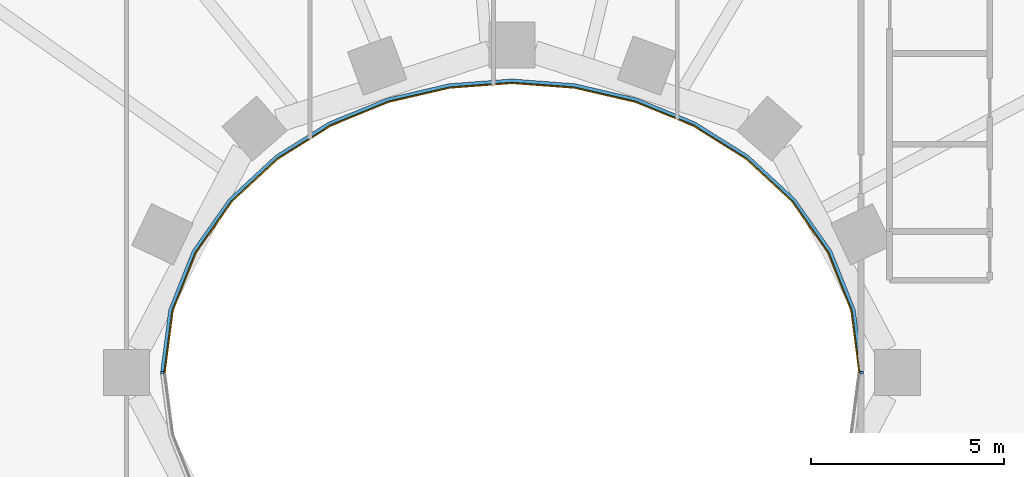
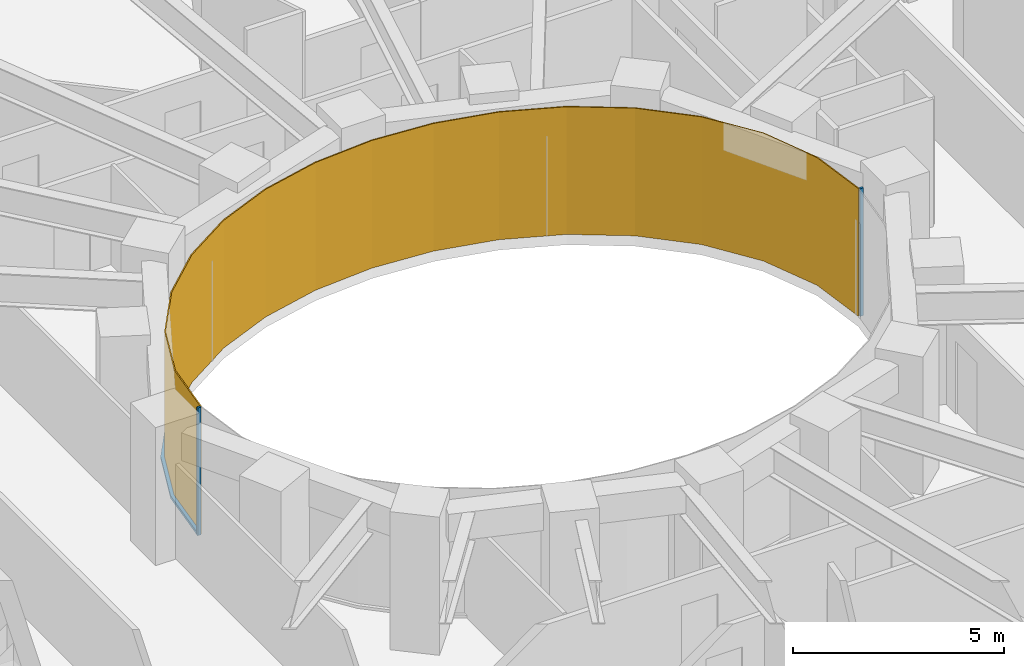
# One storey, part 12 of 16: 3 members, 1 curtain wall.
"""IFC4 building model written with IfcOpenShell, lengths in metres."""

from ifc_helpers import new_model, si_unit, direction, frame, origin, origin_2d, place, context, subcontext, project, spatial, polyline, rectangle, outline, extrude, material, layer, layer_set, material_profile, profile_set, type_object, element, aggregate, save


model = new_model("IFC4")

# Units and contexts
model_context = context("Model", 3, precision=1e-05, world=origin(), true_north=direction((0.0, 1.0)))
body_context = subcontext(model_context, "Body", "Model", "MODEL_VIEW")
ifc_project = project(units=[si_unit("LENGTHUNIT", "METRE"), si_unit("AREAUNIT", "SQUARE_METRE"), si_unit("VOLUMEUNIT", "CUBIC_METRE"), si_unit("PLANEANGLEUNIT", "RADIAN"), si_unit("MASSUNIT", "GRAM", prefix="KILO")], contexts=[model_context])

# Member
ifc_material_1 = material(Name="Steel S355 fire-resisting frame", Category="steel")
ifc_material_profile = material_profile(ifc_material_1, rectangle(XDim=0.090087890625, YDim=0.06005859375, at=origin_2d()), Name="90x60")
ifc_profile_set = profile_set([ifc_material_profile], Name="Steel S355 fire-resisting frame")
member_type_1 = type_object("IfcMemberType", Name="ENV-MULLION-W-90", PredefinedType="MULLION", material=ifc_profile_set)
site_placement = place(None, origin())
building_placement = place(site_placement, origin())
storey_placement = place(building_placement, frame((0.0, 0.0, 108.0)))
member_1_placement = place(storey_placement, frame((9.076904296875, 0.0, 0.0), z_axis=(0.0, 0.0, 1.0), x_axis=(1.0, 0.0, 0.0)))
member_1 = element("IfcMember", 1, at=member_1_placement, type_object=member_type_1, Name="Mullion W well vertex 01", PredefinedType="MULLION", context=body_context, shape_type="SweptSolid", body=[
    extrude(rectangle(XDim=0.090087890625, YDim=0.06005859375, at=origin_2d()), origin(), (0.0, 0.0, 1.0), 3.699951171875),
])

member_2_placement = place(storey_placement, frame((-9.076904296875, 0.0, 0.0), z_axis=(0.0, 0.0, 1.0), x_axis=(-1.0, 0.0, 0.0)))
member_2 = element("IfcMember", 2, at=member_2_placement, type_object=member_type_1, Name="Mullion W well vertex 17", PredefinedType="MULLION", context=body_context, shape_type="SweptSolid", body=[
    extrude(rectangle(XDim=0.090087890625, YDim=0.06005859375, at=origin_2d()), origin(), (0.0, 0.0, 1.0), 3.699951171875),
])

ifc_material_2 = material(Name="Steel S355 fire-resisting frame", Category="steel")
member_type_2 = type_object("IfcMemberType", Name="ENV-TRANSOM-W", PredefinedType="USERDEFINED", material=ifc_material_2)
member_3_placement = place(storey_placement, origin())
member_3 = element("IfcMember", 3, at=member_3_placement, type_object=member_type_2, Name="Transom W well 01-17", ObjectType="TRANSOM", PredefinedType="USERDEFINED", context=body_context, shape_type="SweptSolid", body=[
    extrude(outline(polyline([(9.119384765625, 0.02783203125), (8.910400390625, 1.63623046875), (8.29833984375, 3.167236328125), (7.35107421875, 4.5146484375), (6.1455078125, 5.6337890625), (4.75341796875, 6.50634765625), (3.233642578125, 7.127685546875), (1.635498046875, 7.498779296875), (0.0, 7.622314453125), (-1.635498046875, 7.498779296875), (-3.233642578125, 7.127685546875), (-4.75341796875, 6.50634765625), (-6.1455078125, 5.6337890625), (-7.35107421875, 4.5146484375), (-8.29833984375, 3.167236328125), (-8.910400390625, 1.63623046875), (-9.119384765625, 0.02783203125), (-9.02880859375, 0.02783203125), (-8.822509765625, 1.61328125), (-8.21875, 3.124267578125), (-7.282958984375, 4.455078125), (-6.090576171875, 5.56201171875), (-4.712158203125, 6.426025390625), (-3.206298828125, 7.04150390625), (-1.621826171875, 7.40966796875), (0.0, 7.531982421875), (1.621826171875, 7.40966796875), (3.206298828125, 7.04150390625), (4.712158203125, 6.426025390625), (6.090576171875, 5.56201171875), (7.282958984375, 4.455078125), (8.21875, 3.124267578125), (8.822509765625, 1.61328125), (9.02880859375, 0.02783203125), (9.119384765625, 0.02783203125)])), origin(), (0.0, 0.0, 1.0), 0.080078125),
])

# Site, building, storey
site = spatial("IfcSite", under=ifc_project, at=site_placement, CompositionType="ELEMENT")
building = spatial("IfcBuilding", under=site, at=building_placement, Name="Noorbagh Ring Tower", CompositionType="ELEMENT")
storey = spatial("IfcBuildingStorey", under=building, at=storey_placement, Name="L24", CompositionType="ELEMENT", Elevation=108.0)

# Curtain wall
ifc_material_3 = material(Name="Glass fire-resisting E60 laminated", Category="glass")
ifc_layer = layer(ifc_material_3, 0.031982421875)
ifc_layer_set = layer_set([ifc_layer], Name="Glass fire-resisting E60 laminated")
curtain_wall_type = type_object("IfcCurtainWallType", Name="ENV-CW-W", PredefinedType="NOTDEFINED", material=ifc_layer_set)
curtain_wall_placement = place(storey_placement, origin())
curtain_wall = element("IfcCurtainWall", 4, at=curtain_wall_placement, inside=storey, type_object=curtain_wall_type, Name="Curtain wall W W01", PredefinedType="NOTDEFINED", context=body_context, shape_type="SweptSolid", body=[
    extrude(outline(polyline([(9.0322265625, 0.0), (8.822509765625, 1.61328125), (8.21875, 3.124267578125), (7.282958984375, 4.455078125), (6.090576171875, 5.56201171875), (4.712158203125, 6.426025390625), (3.206298828125, 7.04150390625), (1.621826171875, 7.40966796875), (0.0, 7.531982421875), (-1.621826171875, 7.40966796875), (-3.206298828125, 7.04150390625), (-4.712158203125, 6.426025390625), (-6.090576171875, 5.56201171875), (-7.282958984375, 4.455078125), (-8.21875, 3.124267578125), (-8.822509765625, 1.61328125), (-9.0322265625, 0.0), (-9.0, 0.0), (-8.79150390625, 1.605224609375), (-8.1904296875, 3.10888671875), (-7.2587890625, 4.43408203125), (-6.071044921875, 5.53662109375), (-4.697509765625, 6.3974609375), (-3.196533203125, 7.010986328125), (-1.6171875, 7.3779296875), (0.0, 7.5), (1.6171875, 7.3779296875), (3.196533203125, 7.010986328125), (4.697509765625, 6.3974609375), (6.071044921875, 5.53662109375), (7.2587890625, 4.43408203125), (8.1904296875, 3.10888671875), (8.79150390625, 1.605224609375), (9.0, 0.0), (9.0322265625, 0.0)])), origin(), (0.0, 0.0, 1.0), 3.699951171875),
])

aggregate(curtain_wall, [member_1, member_2, member_3])

save(model, "model.ifc")
